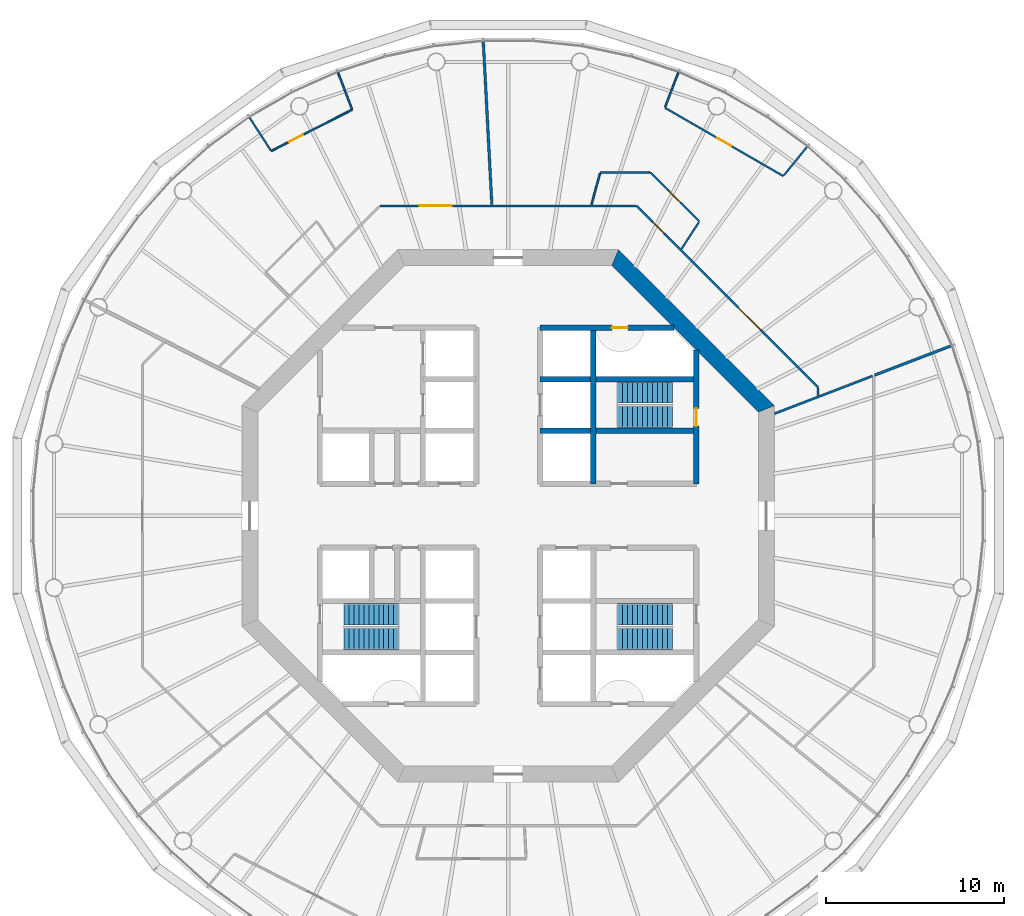
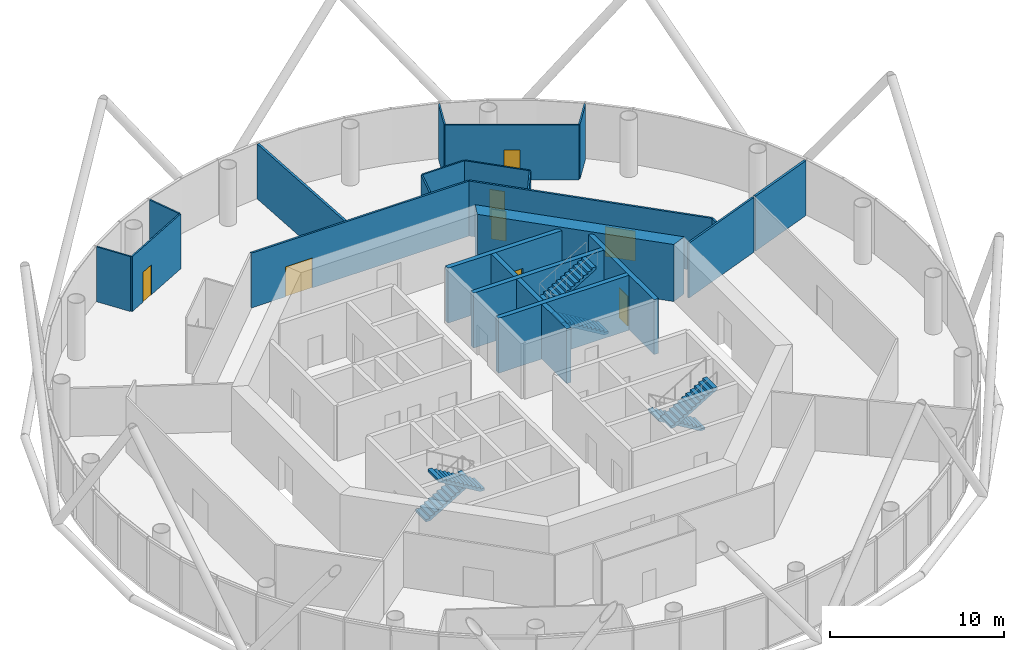
# One storey, part 5 of 12: 22 walls, 8 doors, 6 stair flights, 8 openings, 3 elements without a shape of their own.
"""IFC4 building model written with IfcOpenShell, lengths in metres."""

from ifc_helpers import new_model, si_unit, direction, frame, frame_2d, origin, place, context, subcontext, project, spatial, polyline, rectangle, outline, extrude, material, layer, layer_set, type_object, element, fill, aggregate, save


model = new_model("IFC4")

# Units and contexts
model_context = context("Model", 3, precision=1e-05, world=origin(), true_north=direction((0.0, 1.0)))
body_context = subcontext(model_context, "Body", "Model", "MODEL_VIEW")
ifc_project = project(units=[si_unit("LENGTHUNIT", "METRE"), si_unit("AREAUNIT", "SQUARE_METRE"), si_unit("VOLUMEUNIT", "CUBIC_METRE"), si_unit("PLANEANGLEUNIT", "RADIAN"), si_unit("MASSUNIT", "GRAM", prefix="KILO")], contexts=[model_context])

# Site, building, storey
site_placement = place(None, origin())
site = spatial("IfcSite", under=ifc_project, at=site_placement, CompositionType="ELEMENT")
building_placement = place(site_placement, origin())
building = spatial("IfcBuilding", under=site, at=building_placement, Name="Entoto Ring Tower", CompositionType="ELEMENT")
storey_placement = place(building_placement, frame((0.0, 0.0, 238.0)))
storey = spatial("IfcBuildingStorey", under=building, at=storey_placement, Name="L54", CompositionType="ELEMENT", Elevation=238.0)

# Wall, opening, door
ifc_material_1 = material(Name="Concrete C40/50", Category="concrete")
ifc_layer_1 = layer(ifc_material_1, 0.300048828125)
ifc_layer_set_1 = layer_set([ifc_layer_1], Name="Concrete C40/50")
wall_type_1 = type_object("IfcWallType", Name="Core enclosure wall 300 mm reinforced concrete", PredefinedType="SOLIDWALL", material=ifc_layer_set_1)
wall_1_placement = place(storey_placement, frame((100.60009765625, 81.800048828125, 0.0), z_axis=(0.0, 0.0, 1.0), x_axis=(0.0, 1.0, 0.0)))
wall_1 = element("IfcWall", 1, at=wall_1_placement, inside=storey, type_object=wall_type_1, Name="wall-L54-002", PredefinedType="SOLIDWALL", context=body_context, shape_type="SweptSolid", body=[
    extrude(rectangle(XDim=7.540283203125, YDim=0.300048828125, at=frame_2d((3.77001953125, 0.0))), origin(), (0.0, 0.0, 1.0), 3.85009765625),
])
opening_1_placement = place(wall_1_placement, frame((3.25, 0.0, 0.0)))
opening_1 = element("IfcOpeningElement", 2, at=opening_1_placement, cuts=wall_1, Name="Opening K-17", PredefinedType="OPENING", context=body_context, shape_type="SweptSolid", body=[
    extrude(rectangle(XDim=1.0, YDim=2.10009765625, at=frame_2d((0.5, 1.050048828125))), frame((0.0, 0.16015625, 0.0), z_axis=(0.0, -1.0, 0.0), x_axis=(1.0, 0.0, 0.0)), (0.0, 0.0, 1.0), 0.320068359375),
])
ifc_material_2 = material(Name="Steel door leaf, fire rated", Category="steel")
ifc_layer_2 = layer(ifc_material_2, 0.050048828125)
ifc_layer_set_2 = layer_set([ifc_layer_2], Name="Steel door leaf, fire rated")
door_type_1 = type_object("IfcDoorType", Name="Fire door FD60 1000 x 2100 single leaf", OperationType="NOTDEFINED", PredefinedType="DOOR", material=ifc_layer_set_2)
door_1_placement = place(opening_1_placement, origin())
door_1 = element("IfcDoor", 3, at=door_1_placement, inside=storey, type_object=door_type_1, Name="Door K-17", OperationType="SINGLE_SWING_LEFT", OverallHeight=2.10009765625, OverallWidth=1.0, PredefinedType="DOOR", context=body_context, shape_type="SweptSolid", body=[
    extrude(rectangle(XDim=1.0, YDim=2.10009765625, at=frame_2d((0.5, 1.050048828125))), frame((0.0, 0.02490234375, 0.0), z_axis=(0.0, -1.0, 0.0), x_axis=(1.0, 0.0, 0.0)), (0.0, 0.0, 1.0), 0.050048828125),
])
fill(opening_1, door_1)

# Walls
for number, where, z_axis, x_axis, name in (
    (4, (94.800048828125, 81.800048828125, 0.0), (0.0, 0.0, 1.0), (0.0, 1.0, 0.0), "wall-L54-004"),
    (5, (91.800048828125, 84.800048828125, 0.0), (0.0, 0.0, 1.0), (1.0, 0.0, 0.0), "wall-L54-028"),
    (6, (91.800048828125, 87.699951171875, 0.0), (0.0, 0.0, 1.0), (1.0, 0.0, 0.0), "wall-L54-030"),
):
    element("IfcWall", number, at=place(storey_placement, frame(where, z_axis=z_axis, x_axis=x_axis)), inside=storey, type_object=wall_type_1, Name=name, PredefinedType="SOLIDWALL", context=body_context, shape_type="SweptSolid", body=[
        extrude(rectangle(XDim=8.800048828125, YDim=0.300048828125, at=frame_2d((4.39990234375, 0.0))), origin(), (0.0, 0.0, 1.0), 3.85009765625),
    ])

# Wall, opening, door
wall_2_placement = place(storey_placement, frame((91.800048828125, 90.60009765625, 0.0), z_axis=(0.0, 0.0, 1.0), x_axis=(1.0, 0.0, 0.0)))
wall_2 = element("IfcWall", 7, at=wall_2_placement, inside=storey, type_object=wall_type_1, Name="wall-L54-032", PredefinedType="SOLIDWALL", context=body_context, shape_type="SweptSolid", body=[
    extrude(rectangle(XDim=7.540283203125, YDim=0.300048828125, at=frame_2d((3.77001953125, 0.0))), origin(), (0.0, 0.0, 1.0), 3.85009765625),
])
opening_2_placement = place(wall_2_placement, frame((4.050048828125, 0.0, 0.0)))
opening_2 = element("IfcOpeningElement", 8, at=opening_2_placement, cuts=wall_2, Name="Opening K-20", PredefinedType="OPENING", context=body_context, shape_type="SweptSolid", body=[
    extrude(rectangle(XDim=0.89990234375, YDim=2.10009765625, at=frame_2d((0.449951171875, 1.050048828125))), frame((0.0, 0.16015625, 0.0), z_axis=(0.0, -1.0, 0.0), x_axis=(1.0, 0.0, 0.0)), (0.0, 0.0, 1.0), 0.320068359375),
])
ifc_material_3 = material(Name="Steel door leaf, fire rated", Category="steel")
ifc_layer_3 = layer(ifc_material_3, 0.050048828125)
ifc_layer_set_3 = layer_set([ifc_layer_3], Name="Steel door leaf, fire rated")
door_type_2 = type_object("IfcDoorType", Name="Riser door FD60 900 x 2100 single leaf", OperationType="NOTDEFINED", PredefinedType="DOOR", material=ifc_layer_set_3)
door_2_placement = place(opening_2_placement, frame((0.89990234375, 0.0, 0.0), z_axis=(0.0, 0.0, 1.0), x_axis=(-1.0, 0.0, 0.0)))
door_2 = element("IfcDoor", 9, at=door_2_placement, inside=storey, type_object=door_type_2, Name="Door K-20", OperationType="SINGLE_SWING_RIGHT", OverallHeight=2.10009765625, OverallWidth=0.89990234375, PredefinedType="DOOR", context=body_context, shape_type="SweptSolid", body=[
    extrude(rectangle(XDim=0.89990234375, YDim=2.10009765625, at=frame_2d((0.449951171875, 1.050048828125))), frame((0.0, 0.02490234375, 0.0), z_axis=(0.0, -1.0, 0.0), x_axis=(1.0, 0.0, 0.0)), (0.0, 0.0, 1.0), 0.050048828125),
])
fill(opening_2, door_2)

# Wall
ifc_material_4 = material(Name="Concrete C50/60", Category="concrete")
ifc_layer_4 = layer(ifc_material_4, 0.89990234375)
ifc_layer_set_4 = layer_set([ifc_layer_4], Name="Concrete C50/60")
wall_type_2 = type_object("IfcWallType", Name="Core shear wall 900 mm reinforced concrete C50/60", PredefinedType="SHEAR", material=ifc_layer_set_4)
wall_3_placement = place(storey_placement, frame((104.550048828125, 86.02685546875, 0.0), z_axis=(0.0, 0.0, 1.0), x_axis=(-0.707106781187, 0.707106781187, 0.0)))
element("IfcWall", 10, at=wall_3_placement, inside=storey, type_object=wall_type_2, Name="wall-L54-core-1", PredefinedType="SHEAR", context=body_context, shape_type="SweptSolid", body=[
    extrude(outline(polyline([(-0.186279296875, -0.449951171875), (12.239990234375, -0.449951171875), (11.867431640625, 0.449951171875), (0.186279296875, 0.449951171875), (-0.186279296875, -0.449951171875)])), origin(), (0.0, 0.0, 1.0), 4.0),
])

# Wall, openings, doors
ifc_material_5 = material(Name="Fire-resisting plasterboard on steel studs", Category="steel")
ifc_layer_5 = layer(ifc_material_5, 0.125)
ifc_layer_set_5 = layer_set([ifc_layer_5], Name="Fire-resisting plasterboard on steel studs")
wall_type_3 = type_object("IfcWallType", Name="Corridor wall 125 mm one-hour plasterboard on steel studs", PredefinedType="PARTITIONING", material=ifc_layer_set_5)
wall_4_placement = place(storey_placement, frame((107.46240234375, 87.233154296875, 0.0), z_axis=(0.0, 0.0, 1.0), x_axis=(-0.707106781187, 0.707106781187, 0.0)))
wall_4 = element("IfcWall", 11, at=wall_4_placement, inside=storey, type_object=wall_type_3, Name="partition-L54-003", PredefinedType="PARTITIONING", context=body_context, shape_type="SweptSolid", body=[
    extrude(rectangle(XDim=14.46630859375, YDim=0.125, at=frame_2d((7.233154296875, 0.0))), origin(), (0.0, 0.0, 1.0), 3.85009765625),
])
opening_3_placement = place(wall_4_placement, frame((4.572509765625, 0.0, 0.0)))
opening_3 = element("IfcOpeningElement", 12, at=opening_3_placement, cuts=wall_4, Name="Opening A24-D03", PredefinedType="OPENING", context=body_context, shape_type="SweptSolid", body=[
    extrude(rectangle(XDim=1.800048828125, YDim=2.10009765625, at=frame_2d((0.89990234375, 1.050048828125))), frame((0.0, 0.072509765625, 0.0), z_axis=(0.0, -1.0, 0.0), x_axis=(1.0, 0.0, 0.0)), (0.0, 0.0, 1.0), 0.14501953125),
])
opening_4_placement = place(wall_4_placement, frame((12.255615234375, 0.0, 0.0)))
opening_4 = element("IfcOpeningElement", 13, at=opening_4_placement, cuts=wall_4, Name="Opening A24-D05", PredefinedType="OPENING", context=body_context, shape_type="SweptSolid", body=[
    extrude(rectangle(XDim=0.89990234375, YDim=2.10009765625, at=frame_2d((0.449951171875, 1.050048828125))), frame((0.0, 0.072509765625, 0.0), z_axis=(0.0, -1.0, 0.0), x_axis=(1.0, 0.0, 0.0)), (0.0, 0.0, 1.0), 0.14501953125),
])
ifc_material_6 = material(Name="Fire-resisting timber door set", Category="wood")
door_type_3 = type_object("IfcDoorType", Name="Door 1000 x 2100 single leaf FD30S fire door", OperationType="NOTDEFINED", PredefinedType="DOOR", material=ifc_material_6)
door_3_placement = place(opening_4_placement, frame((0.89990234375, 0.0, 0.0), z_axis=(0.0, 0.0, 1.0), x_axis=(-1.0, 0.0, 0.0)))
door_3 = element("IfcDoor", 14, at=door_3_placement, inside=storey, type_object=door_type_3, Name="Door A24-D05", OperationType="SINGLE_SWING_RIGHT", OverallHeight=2.10009765625, OverallWidth=0.89990234375, PredefinedType="DOOR", context=body_context, shape_type="SweptSolid", body=[
    extrude(rectangle(XDim=0.89990234375, YDim=2.10009765625, at=frame_2d((0.449951171875, 1.050048828125))), frame((0.0, 0.02490234375, 0.0), z_axis=(0.0, -1.0, 0.0), x_axis=(1.0, 0.0, 0.0)), (0.0, 0.0, 1.0), 0.050048828125),
])
fill(opening_4, door_3)
ifc_material_7 = material(Name="Fire-resisting timber door set", Category="wood")
door_type_4 = type_object("IfcDoorType", Name="Door 1800 x 2100 double leaf FD30S fire door", OperationType="DOUBLE_DOOR_SINGLE_SWING", PredefinedType="DOOR", material=ifc_material_7)
door_4_placement = place(opening_3_placement, frame((1.800048828125, 0.0, 0.0), z_axis=(0.0, 0.0, 1.0), x_axis=(-1.0, 0.0, 0.0)))
door_4 = element("IfcDoor", 15, at=door_4_placement, inside=storey, type_object=door_type_4, Name="Door A24-D03", OperationType="DOUBLE_DOOR_SINGLE_SWING", OverallHeight=2.10009765625, OverallWidth=1.800048828125, PredefinedType="DOOR", context=body_context, shape_type="SweptSolid", body=[
    extrude(rectangle(XDim=1.800048828125, YDim=2.10009765625, at=frame_2d((0.89990234375, 1.050048828125))), frame((0.0, 0.02490234375, 0.0), z_axis=(0.0, -1.0, 0.0), x_axis=(1.0, 0.0, 0.0)), (0.0, 0.0, 1.0), 0.050048828125),
])
fill(opening_3, door_4)

# Wall, opening, door
wall_5_placement = place(storey_placement, frame((82.766845703125, 97.46240234375, 0.0), z_axis=(0.0, 0.0, 1.0), x_axis=(1.0, 0.0, 0.0)))
wall_5 = element("IfcWall", 16, at=wall_5_placement, inside=storey, type_object=wall_type_3, Name="partition-L54-005", PredefinedType="PARTITIONING", context=body_context, shape_type="SweptSolid", body=[
    extrude(rectangle(XDim=14.42236328125, YDim=0.125, at=frame_2d((7.211181640625, 0.0))), origin(), (0.0, 0.0, 1.0), 3.85009765625),
])
opening_5_placement = place(wall_5_placement, frame((2.259033203125, 0.0, 0.0)))
opening_5 = element("IfcOpeningElement", 17, at=opening_5_placement, cuts=wall_5, Name="Opening A24-D07", PredefinedType="OPENING", context=body_context, shape_type="SweptSolid", body=[
    extrude(rectangle(XDim=1.800048828125, YDim=2.10009765625, at=frame_2d((0.89990234375, 1.050048828125))), frame((0.0, 0.072509765625, 0.0), z_axis=(0.0, -1.0, 0.0), x_axis=(1.0, 0.0, 0.0)), (0.0, 0.0, 1.0), 0.14501953125),
])
door_5_placement = place(opening_5_placement, origin())
door_5 = element("IfcDoor", 18, at=door_5_placement, inside=storey, type_object=door_type_4, Name="Door A24-D07", OperationType="DOUBLE_DOOR_SINGLE_SWING", OverallHeight=2.10009765625, OverallWidth=1.800048828125, PredefinedType="DOOR", context=body_context, shape_type="SweptSolid", body=[
    extrude(rectangle(XDim=1.800048828125, YDim=2.10009765625, at=frame_2d((0.89990234375, 1.050048828125))), frame((0.0, 0.02490234375, 0.0), z_axis=(0.0, -1.0, 0.0), x_axis=(1.0, 0.0, 0.0)), (0.0, 0.0, 1.0), 0.050048828125),
])
fill(opening_5, door_5)

# Walls
wall_6_placement = place(storey_placement, frame((105.0, 85.758056640625, 0.0), z_axis=(0.0, 0.0, 1.0), x_axis=(0.933592488158, 0.358336526264, 0.0)))
element("IfcWall", 19, at=wall_6_placement, inside=storey, type_object=wall_type_3, Name="partition-L54-011", PredefinedType="PARTITIONING", context=body_context, shape_type="SweptSolid", body=[
    extrude(rectangle(XDim=5.90771484375, YDim=0.125, at=frame_2d((2.953857421875, 0.0))), origin(), (0.0, 0.0, 1.0), 3.85009765625),
])
wall_7_placement = place(storey_placement, frame((107.46240234375, 86.7939453125, 0.0), z_axis=(0.0, 0.0, 1.0), x_axis=(0.0, 1.0, 0.0)))
element("IfcWall", 20, at=wall_7_placement, inside=storey, type_object=wall_type_3, Name="partition-L54-016", PredefinedType="PARTITIONING", context=body_context, shape_type="SweptSolid", body=[
    extrude(rectangle(XDim=0.395263671875, YDim=0.125, at=frame_2d((0.19775390625, 0.0))), origin(), (0.0, 0.0, 1.0), 3.85009765625),
])

# Wall, opening, door
ifc_material_8 = material(Name="Plasterboard on steel studs", Category="steel")
ifc_layer_6 = layer(ifc_material_8, 0.10009765625)
ifc_layer_set_6 = layer_set([ifc_layer_6], Name="Plasterboard on steel studs")
wall_type_4 = type_object("IfcWallType", Name="Partition 100 mm plasterboard on steel studs", PredefinedType="PARTITIONING", material=ifc_layer_set_6)
wall_8_placement = place(storey_placement, frame((105.500244140625, 99.14111328125, 0.0), z_axis=(0.0, 0.0, 1.0), x_axis=(-0.866023614981, 0.500003098285, 0.0)))
wall_8 = element("IfcWall", 21, at=wall_8_placement, inside=storey, type_object=wall_type_4, Name="partition-L54-023", PredefinedType="PARTITIONING", context=body_context, shape_type="SweptSolid", body=[
    extrude(rectangle(XDim=7.7060546875, YDim=0.10009765625, at=frame_2d((3.85302734375, 0.0))), origin(), (0.0, 0.0, 1.0), 3.85009765625),
])
opening_6_placement = place(wall_8_placement, frame((3.403076171875, 0.0, 0.0)))
opening_6 = element("IfcOpeningElement", 22, at=opening_6_placement, cuts=wall_8, Name="Opening A24-D06", PredefinedType="OPENING", context=body_context, shape_type="SweptSolid", body=[
    extrude(rectangle(XDim=0.89990234375, YDim=2.10009765625, at=frame_2d((0.449951171875, 1.050048828125))), frame((0.0, 0.06005859375, 0.0), z_axis=(0.0, -1.0, 0.0), x_axis=(1.0, 0.0, 0.0)), (0.0, 0.0, 1.0), 0.1201171875),
])
ifc_material_9 = material(Name="Veneered timber door leaf in timber frame", Category="wood")
door_type_5 = type_object("IfcDoorType", Name="Door 900 x 2100 single leaf timber veneer", OperationType="NOTDEFINED", PredefinedType="DOOR", material=ifc_material_9)
door_6_placement = place(opening_6_placement, frame((0.89990234375, 0.0, 0.0), z_axis=(0.0, 0.0, 1.0), x_axis=(-1.0, 0.0, 0.0)))
door_6 = element("IfcDoor", 23, at=door_6_placement, inside=storey, type_object=door_type_5, Name="Door A24-D06", OperationType="SINGLE_SWING_RIGHT", OverallHeight=2.10009765625, OverallWidth=0.89990234375, PredefinedType="DOOR", context=body_context, shape_type="SweptSolid", body=[
    extrude(rectangle(XDim=0.89990234375, YDim=2.10009765625, at=frame_2d((0.449951171875, 1.050048828125))), frame((0.0, 0.02490234375, 0.0), z_axis=(0.0, -1.0, 0.0), x_axis=(1.0, 0.0, 0.0)), (0.0, 0.0, 1.0), 0.050048828125),
])
fill(opening_6, door_6)

wall_9_placement = place(storey_placement, frame((76.65087890625, 100.555908203125, 0.0), z_axis=(0.0, 0.0, 1.0), x_axis=(0.891008950858, 0.4539857371, 0.0)))
wall_9 = element("IfcWall", 24, at=wall_9_placement, inside=storey, type_object=wall_type_4, Name="partition-L54-025", PredefinedType="PARTITIONING", context=body_context, shape_type="SweptSolid", body=[
    extrude(rectangle(XDim=5.123779296875, YDim=0.10009765625, at=frame_2d((2.56201171875, 0.0))), origin(), (0.0, 0.0, 1.0), 3.85009765625),
])
opening_7_placement = place(wall_9_placement, frame((1.11474609375, 0.0, 0.0)))
opening_7 = element("IfcOpeningElement", 25, at=opening_7_placement, cuts=wall_9, Name="Opening A24-D09", PredefinedType="OPENING", context=body_context, shape_type="SweptSolid", body=[
    extrude(rectangle(XDim=0.89990234375, YDim=2.10009765625, at=frame_2d((0.449951171875, 1.050048828125))), frame((0.0, 0.06005859375, 0.0), z_axis=(0.0, -1.0, 0.0), x_axis=(1.0, 0.0, 0.0)), (0.0, 0.0, 1.0), 0.1201171875),
])
door_7_placement = place(opening_7_placement, origin())
door_7 = element("IfcDoor", 26, at=door_7_placement, inside=storey, type_object=door_type_5, Name="Door A24-D09", OperationType="SINGLE_SWING_LEFT", OverallHeight=2.10009765625, OverallWidth=0.89990234375, PredefinedType="DOOR", context=body_context, shape_type="SweptSolid", body=[
    extrude(rectangle(XDim=0.89990234375, YDim=2.10009765625, at=frame_2d((0.449951171875, 1.050048828125))), frame((0.0, 0.02490234375, 0.0), z_axis=(0.0, -1.0, 0.0), x_axis=(1.0, 0.0, 0.0)), (0.0, 0.0, 1.0), 0.050048828125),
])
fill(opening_7, door_7)

wall_10_placement = place(storey_placement, frame((100.77001953125, 96.58447265625, 0.0), z_axis=(0.0, 0.0, 1.0), x_axis=(-0.707106781187, 0.707106781187, 0.0)))
wall_10 = element("IfcWall", 27, at=wall_10_placement, inside=storey, type_object=wall_type_4, Name="partition-L54-027", PredefinedType="PARTITIONING", context=body_context, shape_type="SweptSolid", body=[
    extrude(rectangle(XDim=3.900390625, YDim=0.10009765625, at=frame_2d((1.9501953125, 0.0))), origin(), (0.0, 0.0, 1.0), 3.85009765625),
])
opening_8_placement = place(wall_10_placement, frame((1.500244140625, 0.0, 0.0)))
opening_8 = element("IfcOpeningElement", 28, at=opening_8_placement, cuts=wall_10, Name="Opening A24-D04", PredefinedType="OPENING", context=body_context, shape_type="SweptSolid", body=[
    extrude(rectangle(XDim=0.89990234375, YDim=2.10009765625, at=frame_2d((0.449951171875, 1.050048828125))), frame((0.0, 0.06005859375, 0.0), z_axis=(0.0, -1.0, 0.0), x_axis=(1.0, 0.0, 0.0)), (0.0, 0.0, 1.0), 0.1201171875),
])
door_8_placement = place(opening_8_placement, origin())
door_8 = element("IfcDoor", 29, at=door_8_placement, inside=storey, type_object=door_type_5, Name="Door A24-D04", OperationType="SINGLE_SWING_LEFT", OverallHeight=2.10009765625, OverallWidth=0.89990234375, PredefinedType="DOOR", context=body_context, shape_type="SweptSolid", body=[
    extrude(rectangle(XDim=0.89990234375, YDim=2.10009765625, at=frame_2d((0.449951171875, 1.050048828125))), frame((0.0, 0.02490234375, 0.0), z_axis=(0.0, -1.0, 0.0), x_axis=(1.0, 0.0, 0.0)), (0.0, 0.0, 1.0), 0.050048828125),
])
fill(opening_8, door_8)

# Walls
wall_11_placement = place(storey_placement, frame((95.182861328125, 99.342529296875, 0.0), z_axis=(0.0, 0.0, 1.0), x_axis=(1.0, 0.0, 0.0)))
element("IfcWall", 30, at=wall_11_placement, inside=storey, type_object=wall_type_4, Name="partition-L54-028", PredefinedType="PARTITIONING", context=body_context, shape_type="SweptSolid", body=[
    extrude(rectangle(XDim=2.7939453125, YDim=0.10009765625, at=frame_2d((1.39697265625, 0.0))), origin(), (0.0, 0.0, 1.0), 3.85009765625),
])
wall_12_placement = place(storey_placement, frame((81.198486328125, 102.928466796875, 0.0), z_axis=(0.0, 0.0, 1.0), x_axis=(-0.35834116207, 0.933590708805, 0.0)))
element("IfcWall", 31, at=wall_12_placement, inside=storey, type_object=wall_type_4, Name="partition-L54-029", PredefinedType="PARTITIONING", context=body_context, shape_type="SweptSolid", body=[
    extrude(rectangle(XDim=2.18017578125, YDim=0.10009765625, at=frame_2d((1.090087890625, 0.0))), origin(), (0.0, 0.0, 1.0), 3.85009765625),
])
wall_13_placement = place(storey_placement, frame((76.623779296875, 100.597412109375, 0.0), z_axis=(0.0, 0.0, 1.0), x_axis=(-0.544634083257, 0.838673783634, 0.0)))
element("IfcWall", 32, at=wall_13_placement, inside=storey, type_object=wall_type_4, Name="partition-L54-031", PredefinedType="PARTITIONING", context=body_context, shape_type="SweptSolid", body=[
    extrude(rectangle(XDim=2.180419921875, YDim=0.10009765625, at=frame_2d((1.09033203125, 0.0))), origin(), (0.0, 0.0, 1.0), 3.85009765625),
])
wall_14_placement = place(storey_placement, frame((98.84423828125, 103.0400390625, 0.0), z_axis=(0.0, 0.0, 1.0), x_axis=(0.358383583251, 0.93357442513, 0.0)))
element("IfcWall", 33, at=wall_14_placement, inside=storey, type_object=wall_type_4, Name="partition-L54-033", PredefinedType="PARTITIONING", context=body_context, shape_type="SweptSolid", body=[
    extrude(rectangle(XDim=2.060791015625, YDim=0.10009765625, at=frame_2d((1.0302734375, 0.0))), origin(), (0.0, 0.0, 1.0), 3.85009765625),
])
wall_15_placement = place(storey_placement, frame((105.53125, 99.179443359375, 0.0), z_axis=(0.0, 0.0, 1.0), x_axis=(0.629235718864, 0.777214520005, 0.0)))
element("IfcWall", 34, at=wall_15_placement, inside=storey, type_object=wall_type_4, Name="partition-L54-034", PredefinedType="PARTITIONING", context=body_context, shape_type="SweptSolid", body=[
    extrude(rectangle(XDim=2.060546875, YDim=0.10009765625, at=frame_2d((1.0302734375, 0.0))), origin(), (0.0, 0.0, 1.0), 3.85009765625),
])
wall_16_placement = place(storey_placement, frame((94.69921875, 97.537841796875, 0.0), z_axis=(0.0, 0.0, 1.0), x_axis=(0.25888135243, 0.965909128937, 0.0)))
element("IfcWall", 35, at=wall_16_placement, inside=storey, type_object=wall_type_4, Name="partition-L54-035", PredefinedType="PARTITIONING", context=body_context, shape_type="SweptSolid", body=[
    extrude(rectangle(XDim=1.820068359375, YDim=0.10009765625, at=frame_2d((0.91015625, 0.0))), origin(), (0.0, 0.0, 1.0), 3.85009765625),
])
wall_17_placement = place(storey_placement, frame((99.763916015625, 95.034912109375, 0.0), z_axis=(0.0, 0.0, 1.0), x_axis=(0.544573203317, 0.838713315877, 0.0)))
element("IfcWall", 36, at=wall_17_placement, inside=storey, type_object=wall_type_4, Name="partition-L54-038", PredefinedType="PARTITIONING", context=body_context, shape_type="SweptSolid", body=[
    extrude(rectangle(XDim=1.798583984375, YDim=0.10009765625, at=frame_2d((0.8994140625, 0.0))), origin(), (0.0, 0.0, 1.0), 3.85009765625),
])
ifc_material_10 = material(Name="Fire-resisting acoustic plasterboard on steel studs", Category="steel")
ifc_layer_7 = layer(ifc_material_10, 0.14990234375)
ifc_layer_set_7 = layer_set([ifc_layer_7], Name="Fire-resisting acoustic plasterboard on steel studs")
wall_type_5 = type_object("IfcWallType", Name="Party wall 150 mm one-hour acoustic plasterboard on steel studs", PredefinedType="PARTITIONING", material=ifc_layer_set_7)
wall_18_placement = place(storey_placement, frame((89.081298828125, 97.52880859375, 0.0), z_axis=(0.0, 0.0, 1.0), x_axis=(-0.052324509301, 0.998630134598, 0.0)))
element("IfcWall", 37, at=wall_18_placement, inside=storey, type_object=wall_type_5, Name="partition-L54-017", PredefinedType="PARTITIONING", context=body_context, shape_type="SweptSolid", body=[
    extrude(rectangle(XDim=9.187255859375, YDim=0.14990234375, at=frame_2d((4.59375, 0.0))), origin(), (0.0, 0.0, 1.0), 3.85009765625),
])
wall_19_placement = place(storey_placement, frame((110.654296875, 87.928466796875, 0.0), z_axis=(0.0, 0.0, 1.0), x_axis=(0.933579859324, 0.358369427078, 0.0)))
element("IfcWall", 38, at=wall_19_placement, inside=storey, type_object=wall_type_5, Name="partition-L54-021", PredefinedType="PARTITIONING", context=body_context, shape_type="SweptSolid", body=[
    extrude(rectangle(XDim=4.6162109375, YDim=0.14990234375, at=frame_2d((2.30810546875, 0.0))), origin(), (0.0, 0.0, 1.0), 3.85009765625),
])

# Stair, stair flights
ifc_material_11 = material(Name="Concrete C40/50", Category="concrete")
stair_type = type_object("IfcStairType", Name="Exit stair 1200 mm dog-leg reinforced concrete", PredefinedType="HALF_TURN_STAIR", material=ifc_material_11)
stair_1_placement = place(storey_placement, origin())
stair_1 = element("IfcStair", 39, at=stair_1_placement, inside=storey, type_object=stair_type, Name="Exit stair 1", PredefinedType="HALF_TURN_STAIR")
ifc_material_12 = material(Name="Concrete C40/50", Category="concrete")
stair_flight_type = type_object("IfcStairFlightType", Name="Stair flight 1200 mm reinforced concrete", PredefinedType="STRAIGHT", material=ifc_material_12)
stair_flight_1_placement = place(storey_placement, frame((99.25, 85.550048828125, 0.0), z_axis=(0.0, 0.0, 1.0), x_axis=(-1.0, 0.0, 0.0)))
stair_flight_1 = element("IfcStairFlight", 40, at=stair_flight_1_placement, type_object=stair_flight_type, Name="ST1 flight 1", NumberOfRisers=12, NumberOfTreads=11, PredefinedType="STRAIGHT", RiserHeight=0.166666667, TreadLength=0.28, context=body_context, shape_type="SweptSolid", body=[
    extrude(outline(polyline([(0.0, 0.0), (0.0, 0.166748046875), (0.280029296875, 0.166748046875), (0.280029296875, 0.333251953125), (0.56005859375, 0.333251953125), (0.56005859375, 0.5), (0.840087890625, 0.5), (0.840087890625, 0.666748046875), (1.1201171875, 0.666748046875), (1.1201171875, 0.833251953125), (1.39990234375, 0.833251953125), (1.39990234375, 1.0), (1.679931640625, 1.0), (1.679931640625, 1.166748046875), (1.9599609375, 1.166748046875), (1.9599609375, 1.333251953125), (2.239990234375, 1.333251953125), (2.239990234375, 1.5), (2.52001953125, 1.5), (2.52001953125, 1.666748046875), (2.800048828125, 1.666748046875), (2.800048828125, 1.833251953125), (3.080078125, 1.833251953125), (3.080078125, 2.0), (3.080078125, 1.658935546875), (0.29296875, 0.0), (0.0, 0.0)])), frame((0.0, 0.60009765625, 0.0), z_axis=(0.0, -1.0, 0.0), x_axis=(1.0, 0.0, 0.0)), (0.0, 0.0, 1.0), 1.199951171875),
])
stair_flight_2_placement = place(storey_placement, frame((96.169921875, 86.949951171875, 2.0), z_axis=(0.0, 0.0, 1.0), x_axis=(1.0, 0.0, 0.0)))
stair_flight_2 = element("IfcStairFlight", 41, at=stair_flight_2_placement, type_object=stair_flight_type, Name="ST1 flight 2", NumberOfRisers=12, NumberOfTreads=11, PredefinedType="STRAIGHT", RiserHeight=0.166666667, TreadLength=0.28, context=body_context, shape_type="SweptSolid", body=[
    extrude(outline(polyline([(0.0, 0.0), (0.0, 0.166748046875), (0.280029296875, 0.166748046875), (0.280029296875, 0.333251953125), (0.56005859375, 0.333251953125), (0.56005859375, 0.5), (0.840087890625, 0.5), (0.840087890625, 0.666748046875), (1.1201171875, 0.666748046875), (1.1201171875, 0.833251953125), (1.39990234375, 0.833251953125), (1.39990234375, 1.0), (1.679931640625, 1.0), (1.679931640625, 1.166748046875), (1.9599609375, 1.166748046875), (1.9599609375, 1.333251953125), (2.239990234375, 1.333251953125), (2.239990234375, 1.5), (2.52001953125, 1.5), (2.52001953125, 1.666748046875), (2.800048828125, 1.666748046875), (2.800048828125, 1.833251953125), (3.080078125, 1.833251953125), (3.080078125, 2.0), (3.080078125, 1.658935546875), (0.29296875, 0.0), (0.0, 0.0)])), frame((0.0, 0.60009765625, 0.0), z_axis=(0.0, -1.0, 0.0), x_axis=(1.0, 0.0, 0.0)), (0.0, 0.0, 1.0), 1.199951171875),
])
aggregate(stair_1, [stair_flight_1, stair_flight_2])

stair_2_placement = place(storey_placement, origin())
stair_2 = element("IfcStair", 42, at=stair_2_placement, inside=storey, type_object=stair_type, Name="Exit stair 2", PredefinedType="HALF_TURN_STAIR")
stair_flight_3_placement = place(storey_placement, frame((80.75, 74.449951171875, 0.0), z_axis=(0.0, 0.0, 1.0), x_axis=(1.0, 0.0, 0.0)))
stair_flight_3 = element("IfcStairFlight", 43, at=stair_flight_3_placement, type_object=stair_flight_type, Name="ST2 flight 1", NumberOfRisers=12, NumberOfTreads=11, PredefinedType="STRAIGHT", RiserHeight=0.166666667, TreadLength=0.28, context=body_context, shape_type="SweptSolid", body=[
    extrude(outline(polyline([(0.0, 0.0), (0.0, 0.166748046875), (0.280029296875, 0.166748046875), (0.280029296875, 0.333251953125), (0.56005859375, 0.333251953125), (0.56005859375, 0.5), (0.840087890625, 0.5), (0.840087890625, 0.666748046875), (1.1201171875, 0.666748046875), (1.1201171875, 0.833251953125), (1.39990234375, 0.833251953125), (1.39990234375, 1.0), (1.679931640625, 1.0), (1.679931640625, 1.166748046875), (1.9599609375, 1.166748046875), (1.9599609375, 1.333251953125), (2.239990234375, 1.333251953125), (2.239990234375, 1.5), (2.52001953125, 1.5), (2.52001953125, 1.666748046875), (2.800048828125, 1.666748046875), (2.800048828125, 1.833251953125), (3.080078125, 1.833251953125), (3.080078125, 2.0), (3.080078125, 1.658935546875), (0.29296875, 0.0), (0.0, 0.0)])), frame((0.0, 0.60009765625, 0.0), z_axis=(0.0, -1.0, 0.0), x_axis=(1.0, 0.0, 0.0)), (0.0, 0.0, 1.0), 1.199951171875),
])
stair_flight_4_placement = place(storey_placement, frame((83.830078125, 73.050048828125, 2.0), z_axis=(0.0, 0.0, 1.0), x_axis=(-1.0, 0.0, 0.0)))
stair_flight_4 = element("IfcStairFlight", 44, at=stair_flight_4_placement, type_object=stair_flight_type, Name="ST2 flight 2", NumberOfRisers=12, NumberOfTreads=11, PredefinedType="STRAIGHT", RiserHeight=0.166666667, TreadLength=0.28, context=body_context, shape_type="SweptSolid", body=[
    extrude(outline(polyline([(0.0, 0.0), (0.0, 0.166748046875), (0.280029296875, 0.166748046875), (0.280029296875, 0.333251953125), (0.56005859375, 0.333251953125), (0.56005859375, 0.5), (0.840087890625, 0.5), (0.840087890625, 0.666748046875), (1.1201171875, 0.666748046875), (1.1201171875, 0.833251953125), (1.39990234375, 0.833251953125), (1.39990234375, 1.0), (1.679931640625, 1.0), (1.679931640625, 1.166748046875), (1.9599609375, 1.166748046875), (1.9599609375, 1.333251953125), (2.239990234375, 1.333251953125), (2.239990234375, 1.5), (2.52001953125, 1.5), (2.52001953125, 1.666748046875), (2.800048828125, 1.666748046875), (2.800048828125, 1.833251953125), (3.080078125, 1.833251953125), (3.080078125, 2.0), (3.080078125, 1.658935546875), (0.29296875, 0.0), (0.0, 0.0)])), frame((0.0, 0.60009765625, 0.0), z_axis=(0.0, -1.0, 0.0), x_axis=(1.0, 0.0, 0.0)), (0.0, 0.0, 1.0), 1.199951171875),
])
aggregate(stair_2, [stair_flight_3, stair_flight_4])

stair_3_placement = place(storey_placement, origin())
stair_3 = element("IfcStair", 45, at=stair_3_placement, inside=storey, type_object=stair_type, Name="Exit stair 3", PredefinedType="HALF_TURN_STAIR")
stair_flight_5_placement = place(storey_placement, frame((99.25, 74.449951171875, 0.0), z_axis=(0.0, 0.0, 1.0), x_axis=(-1.0, 0.0, 0.0)))
stair_flight_5 = element("IfcStairFlight", 46, at=stair_flight_5_placement, type_object=stair_flight_type, Name="ST3 flight 1", NumberOfRisers=12, NumberOfTreads=11, PredefinedType="STRAIGHT", RiserHeight=0.166666667, TreadLength=0.28, context=body_context, shape_type="SweptSolid", body=[
    extrude(outline(polyline([(0.0, 0.0), (0.0, 0.166748046875), (0.280029296875, 0.166748046875), (0.280029296875, 0.333251953125), (0.56005859375, 0.333251953125), (0.56005859375, 0.5), (0.840087890625, 0.5), (0.840087890625, 0.666748046875), (1.1201171875, 0.666748046875), (1.1201171875, 0.833251953125), (1.39990234375, 0.833251953125), (1.39990234375, 1.0), (1.679931640625, 1.0), (1.679931640625, 1.166748046875), (1.9599609375, 1.166748046875), (1.9599609375, 1.333251953125), (2.239990234375, 1.333251953125), (2.239990234375, 1.5), (2.52001953125, 1.5), (2.52001953125, 1.666748046875), (2.800048828125, 1.666748046875), (2.800048828125, 1.833251953125), (3.080078125, 1.833251953125), (3.080078125, 2.0), (3.080078125, 1.658935546875), (0.29296875, 0.0), (0.0, 0.0)])), frame((0.0, 0.60009765625, 0.0), z_axis=(0.0, -1.0, 0.0), x_axis=(1.0, 0.0, 0.0)), (0.0, 0.0, 1.0), 1.199951171875),
])
stair_flight_6_placement = place(storey_placement, frame((96.169921875, 73.050048828125, 2.0), z_axis=(0.0, 0.0, 1.0), x_axis=(1.0, 0.0, 0.0)))
stair_flight_6 = element("IfcStairFlight", 47, at=stair_flight_6_placement, type_object=stair_flight_type, Name="ST3 flight 2", NumberOfRisers=12, NumberOfTreads=11, PredefinedType="STRAIGHT", RiserHeight=0.166666667, TreadLength=0.28, context=body_context, shape_type="SweptSolid", body=[
    extrude(outline(polyline([(0.0, 0.0), (0.0, 0.166748046875), (0.280029296875, 0.166748046875), (0.280029296875, 0.333251953125), (0.56005859375, 0.333251953125), (0.56005859375, 0.5), (0.840087890625, 0.5), (0.840087890625, 0.666748046875), (1.1201171875, 0.666748046875), (1.1201171875, 0.833251953125), (1.39990234375, 0.833251953125), (1.39990234375, 1.0), (1.679931640625, 1.0), (1.679931640625, 1.166748046875), (1.9599609375, 1.166748046875), (1.9599609375, 1.333251953125), (2.239990234375, 1.333251953125), (2.239990234375, 1.5), (2.52001953125, 1.5), (2.52001953125, 1.666748046875), (2.800048828125, 1.666748046875), (2.800048828125, 1.833251953125), (3.080078125, 1.833251953125), (3.080078125, 2.0), (3.080078125, 1.658935546875), (0.29296875, 0.0), (0.0, 0.0)])), frame((0.0, 0.60009765625, 0.0), z_axis=(0.0, -1.0, 0.0), x_axis=(1.0, 0.0, 0.0)), (0.0, 0.0, 1.0), 1.199951171875),
])
aggregate(stair_3, [stair_flight_5, stair_flight_6])

save(model, "model.ifc")
